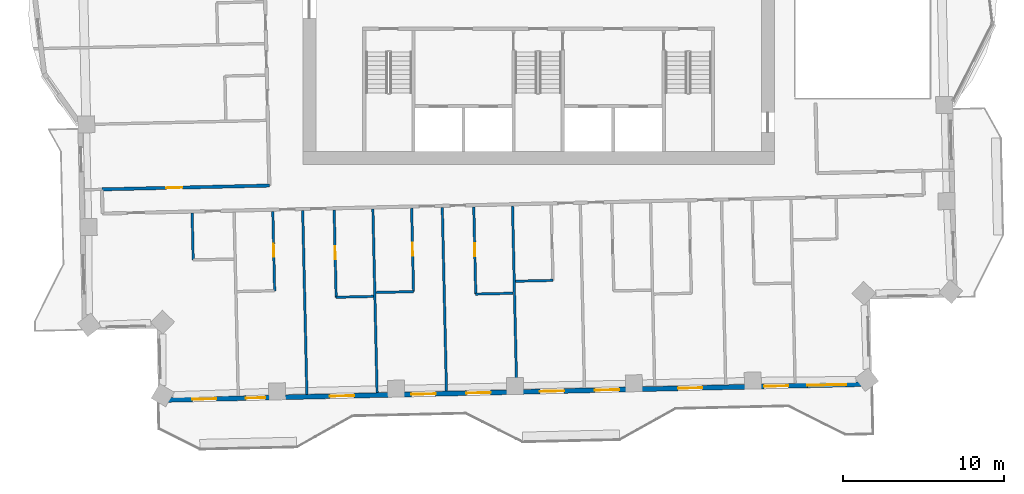
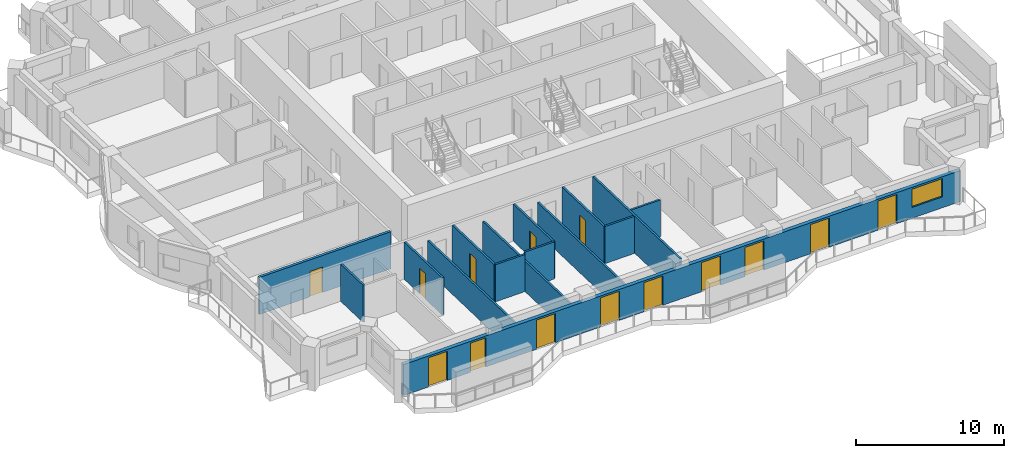
# One storey, part 6 of 17: 15 walls, 14 doors, 1 window, 15 openings.
"""IFC4 building model written with IfcOpenShell, lengths in metres."""

from ifc_helpers import new_model, si_unit, direction, frame, frame_2d, origin, place, context, subcontext, project, spatial, rectangle, extrude, material, layer, layer_set, type_object, element, fill, save


model = new_model("IFC4")

# Units and contexts
model_context = context("Model", 3, precision=1e-05, world=origin(), true_north=direction((0.0, 1.0)))
body_context = subcontext(model_context, "Body", "Model", "MODEL_VIEW")
ifc_project = project(units=[si_unit("LENGTHUNIT", "METRE"), si_unit("AREAUNIT", "SQUARE_METRE"), si_unit("VOLUMEUNIT", "CUBIC_METRE"), si_unit("PLANEANGLEUNIT", "RADIAN"), si_unit("MASSUNIT", "GRAM", prefix="KILO")], contexts=[model_context])

# Site, building, storey
site_placement = place(None, origin())
site = spatial("IfcSite", under=ifc_project, at=site_placement, CompositionType="ELEMENT")
building_placement = place(site_placement, origin())
building = spatial("IfcBuilding", under=site, at=building_placement, Name="Mangrove Gate Tower", CompositionType="ELEMENT")
storey_placement = place(building_placement, frame((0.0, 0.0, 241.89990234375)))
storey = spatial("IfcBuildingStorey", under=building, at=storey_placement, Name="L61", CompositionType="ELEMENT", Elevation=241.89990234375)

# Wall, opening, door
ifc_material_1 = material(Name="Gypsum board on steel stud, EI 60", Category="steel")
ifc_layer_1 = layer(ifc_material_1, 0.199951171875)
ifc_layer_set_1 = layer_set([ifc_layer_1], Name="Corridor wall EI 60")
wall_type_1 = type_object("IfcWallType", Name="Corridor wall EI 60", PredefinedType="PARTITIONING", material=ifc_layer_set_1)
wall_1_placement = place(storey_placement, frame((-27.050048828125, -13.14990234375, 0.0), z_axis=(0.0, 0.0, 1.0), x_axis=(0.999743679035, 0.022640146404, 0.0)))
wall_1 = element("IfcWall", 1, at=wall_1_placement, inside=storey, type_object=wall_type_1, Name="WALL-L61-036", PredefinedType="PARTITIONING", context=body_context, shape_type="SweptSolid", body=[
    extrude(rectangle(XDim=10.373779296875, YDim=0.199951171875, at=frame_2d((5.18701171875, 0.0))), origin(), (0.0, 0.0, 1.0), 3.050048828125),
])
opening_1_placement = place(wall_1_placement, frame((3.987060546875, 0.0, 0.0)))
opening_1 = element("IfcOpeningElement", 2, at=opening_1_placement, cuts=wall_1, Name="Opening AD", PredefinedType="OPENING", context=body_context, shape_type="SweptSolid", body=[
    extrude(rectangle(XDim=1.0, YDim=2.10009765625, at=frame_2d((0.5, 1.050048828125))), frame((0.0, 0.10986328125, 0.0), z_axis=(0.0, -1.0, 0.0), x_axis=(1.0, 0.0, 0.0)), (0.0, 0.0, 1.0), 0.219970703125),
])
ifc_material_2 = material(Name="Timber door leaf", Category="wood")
door_type_1 = type_object("IfcDoorType", Name="Amenity door 1000", OperationType="SINGLE_SWING_LEFT", PredefinedType="DOOR", material=ifc_material_2)
door_1_placement = place(opening_1_placement, origin())
door_1 = element("IfcDoor", 3, at=door_1_placement, inside=storey, type_object=door_type_1, Name="DOOR-L61-KIT-c5d", OperationType="SINGLE_SWING_LEFT", OverallHeight=2.10009765625, OverallWidth=1.0, PredefinedType="DOOR", context=body_context, shape_type="SweptSolid", body=[
    extrude(rectangle(XDim=1.0, YDim=2.10009765625, at=frame_2d((0.5, 1.050048828125))), frame((0.0, 0.02490234375, 0.0), z_axis=(0.0, -1.0, 0.0), x_axis=(1.0, 0.0, 0.0)), (0.0, 0.0, 1.0), 0.050048828125),
])
fill(opening_1, door_1)

# Wall, openings, doors, window
ifc_material_3 = material(Name="Limestone", Category="masonry")
ifc_layer_2 = layer(ifc_material_3, 0.0400390625, Name="Limestone cladding")
ifc_material_4 = material(Name="Ventilated air gap")
ifc_layer_3 = layer(ifc_material_4, 0.0400390625, Name="Ventilated cavity")
ifc_material_5 = material(Name="Mineral wool insulation")
ifc_layer_4 = layer(ifc_material_5, 0.06005859375, Name="Insulation")
ifc_material_6 = material(Name="Breather membrane")
ifc_layer_5 = layer(ifc_material_6, 0.001953125, Name="Breather membrane")
ifc_material_7 = material(Name="Concrete C20/25 blockwork", Category="masonry")
ifc_layer_6 = layer(ifc_material_7, 0.14990234375, Name="Blockwork backing wall")
ifc_material_8 = material(Name="Gypsum plaster")
ifc_layer_7 = layer(ifc_material_8, 0.008056640625, Name="Internal plaster")
ifc_layer_set_2 = layer_set([ifc_layer_2, ifc_layer_3, ifc_layer_4, ifc_layer_5, ifc_layer_6, ifc_layer_7], Name="External wall 300 limestone cladding")
wall_type_2 = type_object("IfcWallType", Name="External wall 300 limestone cladding", PredefinedType="SOLIDWALL", material=ifc_layer_set_2)
wall_2_placement = place(storey_placement, frame((-23.403076171875, -26.200927734375, 0.0), z_axis=(0.0, 0.0, 1.0), x_axis=(0.999742770494, 0.022680230258, 0.0)))
wall_2 = element("IfcWall", 4, at=wall_2_placement, inside=storey, type_object=wall_type_2, Name="WALL-L61-S13", PredefinedType="SOLIDWALL", context=body_context, shape_type="SweptSolid", body=[
    extrude(rectangle(XDim=43.908203125, YDim=0.300048828125, at=frame_2d((21.9541015625, 0.0))), origin(), (0.0, 0.0, 1.0), 2.550048828125),
])
opening_2_placement = place(wall_2_placement, frame((1.950927734375, 0.0, 0.0)))
opening_2 = element("IfcOpeningElement", 5, at=opening_2_placement, cuts=wall_2, Name="Opening BD1", PredefinedType="OPENING", context=body_context, shape_type="SweptSolid", body=[
    extrude(rectangle(XDim=1.5, YDim=2.39990234375, at=frame_2d((0.75, 1.199951171875))), frame((0.0, 0.159912109375, 0.0), z_axis=(0.0, -1.0, 0.0), x_axis=(1.0, 0.0, 0.0)), (0.0, 0.0, 1.0), 0.320068359375),
])
opening_3_placement = place(wall_2_placement, frame((5.27197265625, 0.0, 0.0)))
opening_3 = element("IfcOpeningElement", 6, at=opening_3_placement, cuts=wall_2, Name="Opening BD2", PredefinedType="OPENING", context=body_context, shape_type="SweptSolid", body=[
    extrude(rectangle(XDim=1.199951171875, YDim=2.39990234375, at=frame_2d((0.60009765625, 1.199951171875))), frame((0.0, 0.159912109375, 0.0), z_axis=(0.0, -1.0, 0.0), x_axis=(1.0, 0.0, 0.0)), (0.0, 0.0, 1.0), 0.320068359375),
])
opening_4_placement = place(wall_2_placement, frame((10.47509765625, 0.0, 0.0)))
opening_4 = element("IfcOpeningElement", 7, at=opening_4_placement, cuts=wall_2, Name="Opening BD1", PredefinedType="OPENING", context=body_context, shape_type="SweptSolid", body=[
    extrude(rectangle(XDim=1.5, YDim=2.39990234375, at=frame_2d((0.75, 1.199951171875))), frame((0.0, 0.159912109375, 0.0), z_axis=(0.0, -1.0, 0.0), x_axis=(1.0, 0.0, 0.0)), (0.0, 0.0, 1.0), 0.320068359375),
])
opening_5_placement = place(wall_2_placement, frame((15.530029296875, 0.0, 0.0)))
opening_5 = element("IfcOpeningElement", 8, at=opening_5_placement, cuts=wall_2, Name="Opening BD1", PredefinedType="OPENING", context=body_context, shape_type="SweptSolid", body=[
    extrude(rectangle(XDim=1.5, YDim=2.39990234375, at=frame_2d((0.75, 1.199951171875))), frame((0.0, 0.159912109375, 0.0), z_axis=(0.0, -1.0, 0.0), x_axis=(1.0, 0.0, 0.0)), (0.0, 0.0, 1.0), 0.320068359375),
])
opening_6_placement = place(wall_2_placement, frame((18.93896484375, 0.0, 0.0)))
opening_6 = element("IfcOpeningElement", 9, at=opening_6_placement, cuts=wall_2, Name="Opening BD1", PredefinedType="OPENING", context=body_context, shape_type="SweptSolid", body=[
    extrude(rectangle(XDim=1.5, YDim=2.39990234375, at=frame_2d((0.75, 1.199951171875))), frame((0.0, 0.159912109375, 0.0), z_axis=(0.0, -1.0, 0.0), x_axis=(1.0, 0.0, 0.0)), (0.0, 0.0, 1.0), 0.320068359375),
])
opening_7_placement = place(wall_2_placement, frame((23.489013671875, 0.0, 0.0)))
opening_7 = element("IfcOpeningElement", 10, at=opening_7_placement, cuts=wall_2, Name="Opening BD1", PredefinedType="OPENING", context=body_context, shape_type="SweptSolid", body=[
    extrude(rectangle(XDim=1.5, YDim=2.39990234375, at=frame_2d((0.75, 1.199951171875))), frame((0.0, 0.159912109375, 0.0), z_axis=(0.0, -1.0, 0.0), x_axis=(1.0, 0.0, 0.0)), (0.0, 0.0, 1.0), 0.320068359375),
])
opening_8_placement = place(wall_2_placement, frame((26.89794921875, 0.0, 0.0)))
opening_8 = element("IfcOpeningElement", 11, at=opening_8_placement, cuts=wall_2, Name="Opening BD1", PredefinedType="OPENING", context=body_context, shape_type="SweptSolid", body=[
    extrude(rectangle(XDim=1.5, YDim=2.39990234375, at=frame_2d((0.75, 1.199951171875))), frame((0.0, 0.159912109375, 0.0), z_axis=(0.0, -1.0, 0.0), x_axis=(1.0, 0.0, 0.0)), (0.0, 0.0, 1.0), 0.320068359375),
])
opening_9_placement = place(wall_2_placement, frame((32.050048828125, 0.0, 0.0)))
opening_9 = element("IfcOpeningElement", 12, at=opening_9_placement, cuts=wall_2, Name="Opening BD1", PredefinedType="OPENING", context=body_context, shape_type="SweptSolid", body=[
    extrude(rectangle(XDim=1.5, YDim=2.39990234375, at=frame_2d((0.75, 1.199951171875))), frame((0.0, 0.159912109375, 0.0), z_axis=(0.0, -1.0, 0.0), x_axis=(1.0, 0.0, 0.0)), (0.0, 0.0, 1.0), 0.320068359375),
])
opening_10_placement = place(wall_2_placement, frame((37.382080078125, 0.0, 0.0)))
opening_10 = element("IfcOpeningElement", 13, at=opening_10_placement, cuts=wall_2, Name="Opening BD1", PredefinedType="OPENING", context=body_context, shape_type="SweptSolid", body=[
    extrude(rectangle(XDim=1.5, YDim=2.39990234375, at=frame_2d((0.75, 1.199951171875))), frame((0.0, 0.159912109375, 0.0), z_axis=(0.0, -1.0, 0.0), x_axis=(1.0, 0.0, 0.0)), (0.0, 0.0, 1.0), 0.320068359375),
])
opening_11_placement = place(wall_2_placement, frame((40.056884765625, 0.0, 0.89990234375)))
opening_11 = element("IfcOpeningElement", 14, at=opening_11_placement, cuts=wall_2, Name="Opening W2", PredefinedType="OPENING", context=body_context, shape_type="SweptSolid", body=[
    extrude(rectangle(XDim=2.39990234375, YDim=1.5, at=frame_2d((1.199951171875, 0.75))), frame((0.0, 0.159912109375, 0.0), z_axis=(0.0, -1.0, 0.0), x_axis=(1.0, 0.0, 0.0)), (0.0, 0.0, 1.0), 0.320068359375),
])
ifc_material_9 = material(Name="Aluminium frame with laminated clear glass", Category="aluminium")
door_type_2 = type_object("IfcDoorType", Name="Balcony sliding door 1200x2400", OperationType="SLIDING_TO_LEFT", PredefinedType="DOOR", material=ifc_material_9)
door_2_placement = place(opening_3_placement, origin())
door_2 = element("IfcDoor", 15, at=door_2_placement, inside=storey, type_object=door_type_2, Name="DOOR-L61-S13-2", OperationType="SLIDING_TO_LEFT", OverallHeight=2.39990234375, OverallWidth=1.199951171875, PredefinedType="DOOR", context=body_context, shape_type="SweptSolid", body=[
    extrude(rectangle(XDim=1.199951171875, YDim=2.39990234375, at=frame_2d((0.60009765625, 1.199951171875))), frame((0.0, 0.02490234375, 0.0), z_axis=(0.0, -1.0, 0.0), x_axis=(1.0, 0.0, 0.0)), (0.0, 0.0, 1.0), 0.050048828125),
])
fill(opening_3, door_2)
ifc_material_10 = material(Name="Aluminium frame with laminated clear glass", Category="aluminium")
door_type_3 = type_object("IfcDoorType", Name="Balcony sliding door 1500x2400", OperationType="SLIDING_TO_LEFT", PredefinedType="DOOR", material=ifc_material_10)
door_3_placement = place(opening_2_placement, origin())
door_3 = element("IfcDoor", 16, at=door_3_placement, inside=storey, type_object=door_type_3, Name="DOOR-L61-S13-1", OperationType="SLIDING_TO_LEFT", OverallHeight=2.39990234375, OverallWidth=1.5, PredefinedType="DOOR", context=body_context, shape_type="SweptSolid", body=[
    extrude(rectangle(XDim=1.5, YDim=2.39990234375, at=frame_2d((0.75, 1.199951171875))), frame((0.0, 0.02490234375, 0.0), z_axis=(0.0, -1.0, 0.0), x_axis=(1.0, 0.0, 0.0)), (0.0, 0.0, 1.0), 0.050048828125),
])
fill(opening_2, door_3)
door_4_placement = place(opening_4_placement, origin())
door_4 = element("IfcDoor", 17, at=door_4_placement, inside=storey, type_object=door_type_3, Name="DOOR-L61-S13-3", OperationType="SLIDING_TO_LEFT", OverallHeight=2.39990234375, OverallWidth=1.5, PredefinedType="DOOR", context=body_context, shape_type="SweptSolid", body=[
    extrude(rectangle(XDim=1.5, YDim=2.39990234375, at=frame_2d((0.75, 1.199951171875))), frame((0.0, 0.02490234375, 0.0), z_axis=(0.0, -1.0, 0.0), x_axis=(1.0, 0.0, 0.0)), (0.0, 0.0, 1.0), 0.050048828125),
])
fill(opening_4, door_4)
door_5_placement = place(opening_5_placement, origin())
door_5 = element("IfcDoor", 18, at=door_5_placement, inside=storey, type_object=door_type_3, Name="DOOR-L61-S13-4", OperationType="SLIDING_TO_LEFT", OverallHeight=2.39990234375, OverallWidth=1.5, PredefinedType="DOOR", context=body_context, shape_type="SweptSolid", body=[
    extrude(rectangle(XDim=1.5, YDim=2.39990234375, at=frame_2d((0.75, 1.199951171875))), frame((0.0, 0.02490234375, 0.0), z_axis=(0.0, -1.0, 0.0), x_axis=(1.0, 0.0, 0.0)), (0.0, 0.0, 1.0), 0.050048828125),
])
fill(opening_5, door_5)
door_6_placement = place(opening_6_placement, origin())
door_6 = element("IfcDoor", 19, at=door_6_placement, inside=storey, type_object=door_type_3, Name="DOOR-L61-S13-5", OperationType="SLIDING_TO_LEFT", OverallHeight=2.39990234375, OverallWidth=1.5, PredefinedType="DOOR", context=body_context, shape_type="SweptSolid", body=[
    extrude(rectangle(XDim=1.5, YDim=2.39990234375, at=frame_2d((0.75, 1.199951171875))), frame((0.0, 0.02490234375, 0.0), z_axis=(0.0, -1.0, 0.0), x_axis=(1.0, 0.0, 0.0)), (0.0, 0.0, 1.0), 0.050048828125),
])
fill(opening_6, door_6)
door_7_placement = place(opening_7_placement, origin())
door_7 = element("IfcDoor", 20, at=door_7_placement, inside=storey, type_object=door_type_3, Name="DOOR-L61-S13-6", OperationType="SLIDING_TO_LEFT", OverallHeight=2.39990234375, OverallWidth=1.5, PredefinedType="DOOR", context=body_context, shape_type="SweptSolid", body=[
    extrude(rectangle(XDim=1.5, YDim=2.39990234375, at=frame_2d((0.75, 1.199951171875))), frame((0.0, 0.02490234375, 0.0), z_axis=(0.0, -1.0, 0.0), x_axis=(1.0, 0.0, 0.0)), (0.0, 0.0, 1.0), 0.050048828125),
])
fill(opening_7, door_7)
door_8_placement = place(opening_8_placement, origin())
door_8 = element("IfcDoor", 21, at=door_8_placement, inside=storey, type_object=door_type_3, Name="DOOR-L61-S13-7", OperationType="SLIDING_TO_LEFT", OverallHeight=2.39990234375, OverallWidth=1.5, PredefinedType="DOOR", context=body_context, shape_type="SweptSolid", body=[
    extrude(rectangle(XDim=1.5, YDim=2.39990234375, at=frame_2d((0.75, 1.199951171875))), frame((0.0, 0.02490234375, 0.0), z_axis=(0.0, -1.0, 0.0), x_axis=(1.0, 0.0, 0.0)), (0.0, 0.0, 1.0), 0.050048828125),
])
fill(opening_8, door_8)
door_9_placement = place(opening_9_placement, origin())
door_9 = element("IfcDoor", 22, at=door_9_placement, inside=storey, type_object=door_type_3, Name="DOOR-L61-S13-8", OperationType="SLIDING_TO_LEFT", OverallHeight=2.39990234375, OverallWidth=1.5, PredefinedType="DOOR", context=body_context, shape_type="SweptSolid", body=[
    extrude(rectangle(XDim=1.5, YDim=2.39990234375, at=frame_2d((0.75, 1.199951171875))), frame((0.0, 0.02490234375, 0.0), z_axis=(0.0, -1.0, 0.0), x_axis=(1.0, 0.0, 0.0)), (0.0, 0.0, 1.0), 0.050048828125),
])
fill(opening_9, door_9)
door_10_placement = place(opening_10_placement, origin())
door_10 = element("IfcDoor", 23, at=door_10_placement, inside=storey, type_object=door_type_3, Name="DOOR-L61-S13-9", OperationType="SLIDING_TO_LEFT", OverallHeight=2.39990234375, OverallWidth=1.5, PredefinedType="DOOR", context=body_context, shape_type="SweptSolid", body=[
    extrude(rectangle(XDim=1.5, YDim=2.39990234375, at=frame_2d((0.75, 1.199951171875))), frame((0.0, 0.02490234375, 0.0), z_axis=(0.0, -1.0, 0.0), x_axis=(1.0, 0.0, 0.0)), (0.0, 0.0, 1.0), 0.050048828125),
])
fill(opening_10, door_10)
ifc_material_11 = material(Name="Aluminium frame with double-glazed low-e glass", Category="aluminium")
window_type = type_object("IfcWindowType", Name="Corner room window 2400x1500", PartitioningType="DOUBLE_PANEL_VERTICAL", PredefinedType="WINDOW", material=ifc_material_11)
window_placement = place(opening_11_placement, origin())
window = element("IfcWindow", 24, at=window_placement, inside=storey, type_object=window_type, Name="WIN-L61-S13-10", OverallHeight=1.5, OverallWidth=2.39990234375, PartitioningType="DOUBLE_PANEL_VERTICAL", PredefinedType="WINDOW", context=body_context, shape_type="SweptSolid", body=[
    extrude(rectangle(XDim=2.39990234375, YDim=1.5, at=frame_2d((1.199951171875, 0.75))), frame((0.0, 0.030029296875, 0.0), z_axis=(0.0, -1.0, 0.0), x_axis=(1.0, 0.0, 0.0)), (0.0, 0.0, 1.0), 0.06005859375),
])
fill(opening_11, window)

# Walls
ifc_material_12 = material(Name="Gypsum board on steel stud, EI 60", Category="steel")
ifc_layer_8 = layer(ifc_material_12, 0.14990234375)
ifc_layer_set_3 = layer_set([ifc_layer_8], Name="Party wall 150 EI 60")
wall_type_3 = type_object("IfcWallType", Name="Party wall 150 EI 60", PredefinedType="PARTITIONING", material=ifc_layer_set_3)
for number, where, z_axis, x_axis, name in (
    (25, (-14.35400390625, -25.845947265625, 0.0), (0.0, 0.0, 1.0), (-0.022684355347, 0.999742676904, 0.0), "WALL-L61-002"),
    (26, (-10.0048828125, -25.7470703125, 0.0), (0.0, 0.0, 1.0), (-0.022770155219, 0.999740726404, 0.0), "WALL-L61-003"),
    (27, (-5.70703125, -25.64892578125, 0.0), (0.0, 0.0, 1.0), (-0.022684355347, 0.999742676904, 0.0), "WALL-L61-004"),
):
    element("IfcWall", number, at=place(storey_placement, frame(where, z_axis=z_axis, x_axis=x_axis)), inside=storey, type_object=wall_type_3, Name=name, PredefinedType="PARTITIONING", context=body_context, shape_type="SweptSolid", body=[
        extrude(rectangle(XDim=11.3759765625, YDim=0.14990234375, at=frame_2d((5.68798828125, 0.0))), origin(), (0.0, 0.0, 1.0), 2.5),
    ])
wall_3_placement = place(storey_placement, frame((-1.35791015625, -25.551025390625, 0.0), z_axis=(0.0, 0.0, 1.0), x_axis=(-0.022684355347, 0.999742676904, 0.0)))
element("IfcWall", 28, at=wall_3_placement, inside=storey, type_object=wall_type_3, Name="WALL-L61-005", PredefinedType="PARTITIONING", context=body_context, shape_type="SweptSolid", body=[
    extrude(rectangle(XDim=11.3759765625, YDim=0.14990234375, at=frame_2d((5.68798828125, 0.0))), origin(), (0.0, 0.0, 1.0), 3.050048828125),
])

# Wall, opening, door
wall_4_placement = place(storey_placement, frame((-12.5400390625, -19.8369140625, 0.0), z_axis=(0.0, 0.0, 1.0), x_axis=(-0.022742931096, 0.999741346092, 0.0)))
wall_4 = element("IfcWall", 29, at=wall_4_placement, inside=storey, type_object=wall_type_3, Name="WALL-L61-012", PredefinedType="PARTITIONING", context=body_context, shape_type="SweptSolid", body=[
    extrude(rectangle(XDim=5.410400390625, YDim=0.14990234375, at=frame_2d((2.705078125, 0.0))), origin(), (0.0, 0.0, 1.0), 3.050048828125),
])
opening_12_placement = place(wall_4_placement, frame((2.35498046875, 0.0, 0.0)))
opening_12 = element("IfcOpeningElement", 30, at=opening_12_placement, cuts=wall_4, Name="Opening ED", PredefinedType="OPENING", context=body_context, shape_type="SweptSolid", body=[
    extrude(rectangle(XDim=0.800048828125, YDim=2.10009765625, at=frame_2d((0.39990234375, 1.050048828125))), frame((0.0, 0.0849609375, 0.0), z_axis=(0.0, -1.0, 0.0), x_axis=(1.0, 0.0, 0.0)), (0.0, 0.0, 1.0), 0.169921875),
])
ifc_material_13 = material(Name="Timber door leaf", Category="wood")
door_type_4 = type_object("IfcDoorType", Name="En-suite door 800", OperationType="SINGLE_SWING_LEFT", PredefinedType="DOOR", material=ifc_material_13)
door_11_placement = place(opening_12_placement, origin())
door_11 = element("IfcDoor", 31, at=door_11_placement, inside=storey, type_object=door_type_4, Name="DOOR-L61-ENS-c102", OperationType="SINGLE_SWING_RIGHT", OverallHeight=2.10009765625, OverallWidth=0.800048828125, PredefinedType="DOOR", context=body_context, shape_type="SweptSolid", body=[
    extrude(rectangle(XDim=0.800048828125, YDim=2.10009765625, at=frame_2d((0.39990234375, 1.050048828125))), frame((0.0, 0.02490234375, 0.0), z_axis=(0.0, -1.0, 0.0), x_axis=(1.0, 0.0, 0.0)), (0.0, 0.0, 1.0), 0.050048828125),
])
fill(opening_12, door_11)

wall_5_placement = place(storey_placement, frame((-3.89208984375, -19.64111328125, 0.0), z_axis=(0.0, 0.0, 1.0), x_axis=(-0.022696805576, 0.999742394328, 0.0)))
wall_5 = element("IfcWall", 32, at=wall_5_placement, inside=storey, type_object=wall_type_3, Name="WALL-L61-013", PredefinedType="PARTITIONING", context=body_context, shape_type="SweptSolid", body=[
    extrude(rectangle(XDim=5.41064453125, YDim=0.14990234375, at=frame_2d((2.705322265625, 0.0))), origin(), (0.0, 0.0, 1.0), 3.050048828125),
])
opening_13_placement = place(wall_5_placement, frame((2.35498046875, 0.0, 0.0)))
opening_13 = element("IfcOpeningElement", 33, at=opening_13_placement, cuts=wall_5, Name="Opening ED", PredefinedType="OPENING", context=body_context, shape_type="SweptSolid", body=[
    extrude(rectangle(XDim=0.800048828125, YDim=2.10009765625, at=frame_2d((0.39990234375, 1.050048828125))), frame((0.0, 0.0849609375, 0.0), z_axis=(0.0, -1.0, 0.0), x_axis=(1.0, 0.0, 0.0)), (0.0, 0.0, 1.0), 0.169921875),
])
door_12_placement = place(opening_13_placement, origin())
door_12 = element("IfcDoor", 34, at=door_12_placement, inside=storey, type_object=door_type_4, Name="DOOR-L61-ENS-c104", OperationType="SINGLE_SWING_RIGHT", OverallHeight=2.10009765625, OverallWidth=0.800048828125, PredefinedType="DOOR", context=body_context, shape_type="SweptSolid", body=[
    extrude(rectangle(XDim=0.800048828125, YDim=2.10009765625, at=frame_2d((0.39990234375, 1.050048828125))), frame((0.0, 0.02490234375, 0.0), z_axis=(0.0, -1.0, 0.0), x_axis=(1.0, 0.0, 0.0)), (0.0, 0.0, 1.0), 0.050048828125),
])
fill(opening_13, door_12)

# Walls
wall_6_placement = place(storey_placement, frame((-12.5439453125, -19.8330078125, 0.0), z_axis=(0.0, 0.0, 1.0), x_axis=(0.999740260747, 0.02279059109, 0.0)))
element("IfcWall", 35, at=wall_6_placement, inside=storey, type_object=wall_type_3, Name="WALL-L61-015", PredefinedType="PARTITIONING", context=body_context, shape_type="SweptSolid", body=[
    extrude(rectangle(XDim=2.324462890625, YDim=0.14990234375, at=frame_2d((1.162109375, 0.0))), origin(), (0.0, 0.0, 1.0), 3.050048828125),
])
wall_7_placement = place(storey_placement, frame((-3.89697265625, -19.636962890625, 0.0), z_axis=(0.0, 0.0, 1.0), x_axis=(0.999740478815, 0.022781023197, 0.0)))
element("IfcWall", 36, at=wall_7_placement, inside=storey, type_object=wall_type_3, Name="WALL-L61-016", PredefinedType="PARTITIONING", context=body_context, shape_type="SweptSolid", body=[
    extrude(rectangle(XDim=2.325439453125, YDim=0.14990234375, at=frame_2d((1.16259765625, 0.0))), origin(), (0.0, 0.0, 1.0), 3.050048828125),
])

# Wall, opening, door
wall_8_placement = place(storey_placement, frame((-7.7470703125, -19.488037109375, 0.0), z_axis=(0.0, 0.0, 1.0), x_axis=(-0.022618432726, 0.999744170526, 0.0)))
wall_8 = element("IfcWall", 37, at=wall_8_placement, inside=storey, type_object=wall_type_3, Name="WALL-L61-018", PredefinedType="PARTITIONING", context=body_context, shape_type="SweptSolid", body=[
    extrude(rectangle(XDim=5.170166015625, YDim=0.14990234375, at=frame_2d((2.5849609375, 0.0))), origin(), (0.0, 0.0, 1.0), 3.050048828125),
])
opening_14_placement = place(wall_8_placement, frame((2.235107421875, 0.0, 0.0)))
opening_14 = element("IfcOpeningElement", 38, at=opening_14_placement, cuts=wall_8, Name="Opening ED", PredefinedType="OPENING", context=body_context, shape_type="SweptSolid", body=[
    extrude(rectangle(XDim=0.800048828125, YDim=2.10009765625, at=frame_2d((0.39990234375, 1.050048828125))), frame((0.0, 0.0849609375, 0.0), z_axis=(0.0, -1.0, 0.0), x_axis=(1.0, 0.0, 0.0)), (0.0, 0.0, 1.0), 0.169921875),
])
door_13_placement = place(opening_14_placement, origin())
door_13 = element("IfcDoor", 39, at=door_13_placement, inside=storey, type_object=door_type_4, Name="DOOR-L61-ENS-c103", OperationType="SINGLE_SWING_LEFT", OverallHeight=2.10009765625, OverallWidth=0.800048828125, PredefinedType="DOOR", context=body_context, shape_type="SweptSolid", body=[
    extrude(rectangle(XDim=0.800048828125, YDim=2.10009765625, at=frame_2d((0.39990234375, 1.050048828125))), frame((0.0, 0.02490234375, 0.0), z_axis=(0.0, -1.0, 0.0), x_axis=(1.0, 0.0, 0.0)), (0.0, 0.0, 1.0), 0.050048828125),
])
fill(opening_14, door_13)

# Wall
wall_9_placement = place(storey_placement, frame((-10.074951171875, -19.537109375, 0.0), z_axis=(0.0, 0.0, 1.0), x_axis=(0.999737862264, 0.022895561926, 0.0)))
element("IfcWall", 40, at=wall_9_placement, inside=storey, type_object=wall_type_3, Name="WALL-L61-020", PredefinedType="PARTITIONING", context=body_context, shape_type="SweptSolid", body=[
    extrude(rectangle(XDim=2.324462890625, YDim=0.14990234375, at=frame_2d((1.162109375, 0.0))), origin(), (0.0, 0.0, 1.0), 3.050048828125),
])

# Wall, opening, door
wall_10_placement = place(storey_placement, frame((-16.35009765625, -19.43310546875, 0.0), z_axis=(0.0, 0.0, 1.0), x_axis=(-0.022724786614, 0.999741758692, 0.0)))
wall_10 = element("IfcWall", 41, at=wall_10_placement, inside=storey, type_object=wall_type_3, Name="WALL-L61-022", PredefinedType="PARTITIONING", context=body_context, shape_type="SweptSolid", body=[
    extrude(rectangle(XDim=4.92041015625, YDim=0.14990234375, at=frame_2d((2.460205078125, 0.0))), origin(), (0.0, 0.0, 1.0), 3.050048828125),
])
opening_15_placement = place(wall_10_placement, frame((2.110107421875, 0.0, 0.0)))
opening_15 = element("IfcOpeningElement", 42, at=opening_15_placement, cuts=wall_10, Name="Opening ED", PredefinedType="OPENING", context=body_context, shape_type="SweptSolid", body=[
    extrude(rectangle(XDim=0.800048828125, YDim=2.10009765625, at=frame_2d((0.39990234375, 1.050048828125))), frame((0.0, 0.0849609375, 0.0), z_axis=(0.0, -1.0, 0.0), x_axis=(1.0, 0.0, 0.0)), (0.0, 0.0, 1.0), 0.169921875),
])
door_14_placement = place(opening_15_placement, origin())
door_14 = element("IfcDoor", 43, at=door_14_placement, inside=storey, type_object=door_type_4, Name="DOOR-L61-ENS-c101", OperationType="SINGLE_SWING_LEFT", OverallHeight=2.10009765625, OverallWidth=0.800048828125, PredefinedType="DOOR", context=body_context, shape_type="SweptSolid", body=[
    extrude(rectangle(XDim=0.800048828125, YDim=2.10009765625, at=frame_2d((0.39990234375, 1.050048828125))), frame((0.0, 0.02490234375, 0.0), z_axis=(0.0, -1.0, 0.0), x_axis=(1.0, 0.0, 0.0)), (0.0, 0.0, 1.0), 0.050048828125),
])
fill(opening_15, door_14)

# Walls
wall_11_placement = place(storey_placement, frame((-1.43896484375, -18.841064453125, 0.0), z_axis=(0.0, 0.0, 1.0), x_axis=(0.999740260747, 0.02279059109, 0.0)))
element("IfcWall", 44, at=wall_11_placement, inside=storey, type_object=wall_type_3, Name="WALL-L61-025", PredefinedType="PARTITIONING", context=body_context, shape_type="SweptSolid", body=[
    extrude(rectangle(XDim=2.324462890625, YDim=0.14990234375, at=frame_2d((1.162109375, 0.0))), origin(), (0.0, 0.0, 1.0), 3.050048828125),
])
wall_12_placement = place(storey_placement, frame((-21.39501953125, -17.527099609375, 0.0), z_axis=(0.0, 0.0, 1.0), x_axis=(-0.022730967319, 0.999741618182, 0.0)))
element("IfcWall", 45, at=wall_12_placement, inside=storey, type_object=wall_type_3, Name="WALL-L61-026", PredefinedType="PARTITIONING", context=body_context, shape_type="SweptSolid", body=[
    extrude(rectangle(XDim=2.89990234375, YDim=0.14990234375, at=frame_2d((1.449951171875, 0.0))), origin(), (0.0, 0.0, 1.0), 3.050048828125),
])

save(model, "model.ifc")
